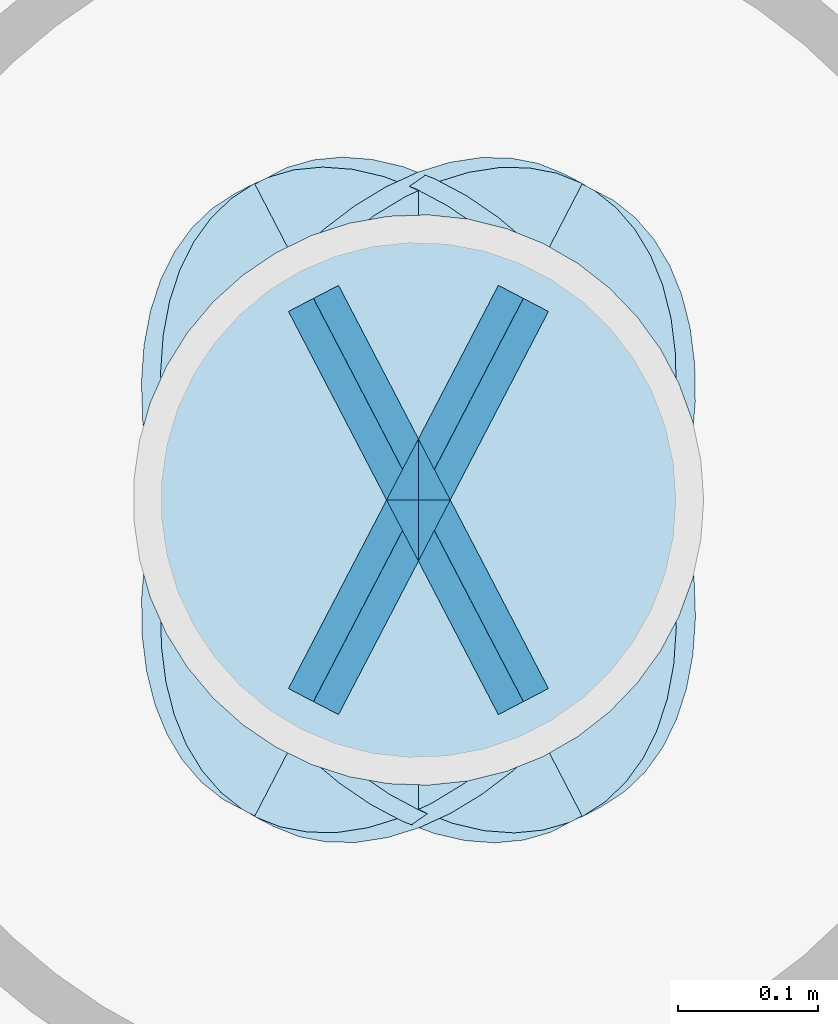
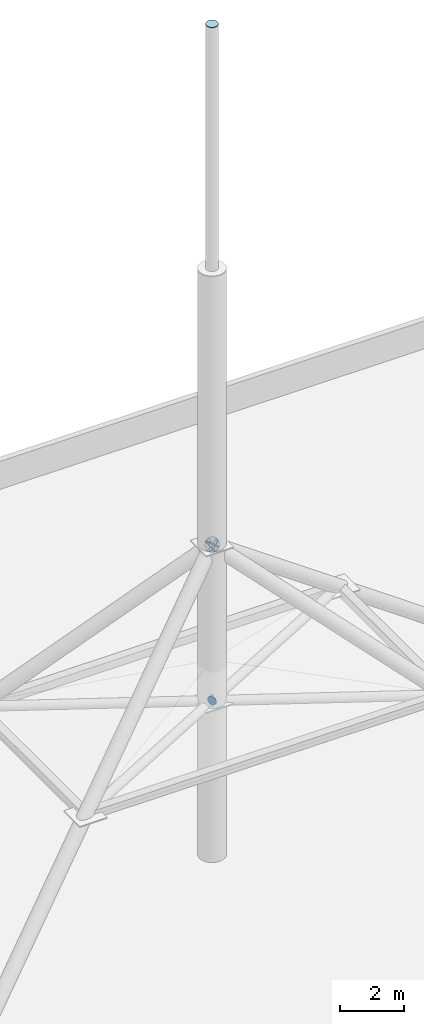
# One storey, part 4 of 8: 9 plates.
"""IFC4 building model written with IfcOpenShell, lengths in metres."""

import ifcopenshell
import ifcopenshell.guid

model = None  # the IFC model being written
_history = None  # IfcOwnerHistory: only IFC2X3 demands one
_inside = {}  # id of a spatial element -> (the spatial element, [elements in it])
_under = {}  # id of a project, library or spatial element -> (it, [spatial elements below it])
_declared = {}  # id of a project -> (the project, [libraries it declares])
_typed = {}  # id of a type object -> (the type object, [elements of that type])
_made_of = {}  # id of a material, layer set ... -> (it, [elements and type objects made of it])


def new_model(schema):
    """Start an empty IFC model of exactly this schema.

    Asked for "IFC4X3", IfcOpenShell would pick the latest addendum, in which some entities
    have other attributes; the version numbers below select the first issue.
    IFC2X3 requires an IfcOwnerHistory on every rooted entity: one is made here for all.
    """
    global model, _history
    if schema == "IFC4X3":
        model = ifcopenshell.file(schema_version=(4, 3, 0, 0))
    else:
        model = ifcopenshell.file(schema=schema)
    _inside.clear()
    _under.clear()
    _declared.clear()
    _typed.clear()
    _made_of.clear()
    _history = None
    if model.schema == "IFC2X3":
        org = make("IfcOrganization", Name="unknown")
        user = make(
            "IfcPersonAndOrganization",
            ThePerson=make("IfcPerson", FamilyName="unknown"),
            TheOrganization=org,
        )
        app = make(
            "IfcApplication",
            ApplicationDeveloper=org,
            Version="unknown",
            ApplicationFullName="unknown",
            ApplicationIdentifier="unknown",
        )
        _history = make(
            "IfcOwnerHistory",
            OwningUser=user,
            OwningApplication=app,
            ChangeAction="ADDED",
            CreationDate=0,
        )
    return model


def make(cls, **values):
    """One entity of the class cls with the attributes given. An attribute that is None is left unset."""
    return model.create_entity(
        cls, **{name: value for name, value in values.items() if value is not None}
    )


def rooted(cls, **values):
    """An entity with a GlobalId (a new one), such as an element, a storey or a relation."""
    return make(cls, GlobalId=ifcopenshell.guid.new(), OwnerHistory=_history, **values)


def si_unit(unit_type, name, prefix=None):
    """IfcSIUnit, for example si_unit("LENGTHUNIT", "METRE", prefix="MILLI")."""
    return make("IfcSIUnit", UnitType=unit_type, Prefix=prefix, Name=name)


def assignment(units):
    """IfcUnitAssignment: the units of a project."""
    return None if units is None else make("IfcUnitAssignment", Units=units)


def point(xyz):
    """IfcCartesianPoint."""
    return None if xyz is None else make("IfcCartesianPoint", Coordinates=xyz)


def direction(xyz):
    """IfcDirection."""
    return None if xyz is None else make("IfcDirection", DirectionRatios=xyz)


def frame(location, z_axis=None, x_axis=None):
    """IfcAxis2Placement3D, a coordinate frame: its origin and axes. An axis left out is left unset."""
    return make(
        "IfcAxis2Placement3D",
        Location=point(location),
        Axis=direction(z_axis),
        RefDirection=direction(x_axis),
    )


def frame_2d(location, x_axis=None):
    """IfcAxis2Placement2D, a coordinate frame in the plane: its origin and x axis."""
    return make(
        "IfcAxis2Placement2D", Location=point(location), RefDirection=direction(x_axis)
    )


def origin():
    """The frame at (0, 0, 0) with its axes left unset."""
    return frame((0.0, 0.0, 0.0))


def origin_2d():
    """The frame at (0, 0) in the plane with its x axis left unset."""
    return frame_2d((0.0, 0.0))


def place(relative_to, where):
    """IfcLocalPlacement: puts the frame where relative to a parent placement (None: the world)."""
    return make(
        "IfcLocalPlacement", PlacementRelTo=relative_to, RelativePlacement=where
    )


def context(
    kind, dimensions, precision=None, world=None, true_north=None, identifier=None
):
    """IfcGeometricRepresentationContext, for example the 3D "Model" context."""
    return make(
        "IfcGeometricRepresentationContext",
        ContextIdentifier=identifier,
        ContextType=kind,
        CoordinateSpaceDimension=dimensions,
        Precision=precision,
        WorldCoordinateSystem=world,
        TrueNorth=true_north,
    )


def subcontext(parent, identifier, kind, view, scale=None):
    """IfcGeometricRepresentationSubContext, for example "Body" below "Model"."""
    return make(
        "IfcGeometricRepresentationSubContext",
        ContextIdentifier=identifier,
        ContextType=kind,
        ParentContext=parent,
        TargetScale=scale,
        TargetView=view,
    )


def project(units=None, contexts=None):
    """IfcProject with its units and contexts."""
    return rooted(
        "IfcProject",
        Name="project",
        RepresentationContexts=contexts,
        UnitsInContext=assignment(units),
    )


def spatial(cls, under=None, at=None, **own):
    """A site, building, storey or space (cls), placed at a placement, below another one or the project."""
    s = rooted(cls, ObjectPlacement=at, **own)
    if under is not None:
        _under.setdefault(under.id(), (under, []))[1].append(s)
    return s


def profile(cls, at=None, kind="AREA", **sizes):
    """A parametric profile (cls). Its sizes go by their IFC names, for example OverallWidth=200.0."""
    return make(cls, ProfileType=kind, Position=at, **sizes)


def circle(**sizes):
    """IfcCircleProfileDef."""
    return profile("IfcCircleProfileDef", **sizes)


def extrude(swept, where, along, depth):
    """IfcExtrudedAreaSolid: the profile swept, set in the frame where, extruded along a direction by depth."""
    return make(
        "IfcExtrudedAreaSolid",
        SweptArea=swept,
        Position=where,
        ExtrudedDirection=direction(along),
        Depth=depth,
    )


def shape(context_of_items, identifier, shape_type, items):
    """IfcShapeRepresentation: the items that make up one representation, for example the "Body"."""
    return make(
        "IfcShapeRepresentation",
        ContextOfItems=context_of_items,
        RepresentationIdentifier=identifier,
        RepresentationType=shape_type,
        Items=items,
    )


def material(Name=None, Category=None):
    """IfcMaterial."""
    return make("IfcMaterial", Name=Name, Category=Category)


def layer(
    of_material, thickness, ventilated=None, Name=None, Category=None, Priority=None
):
    """IfcMaterialLayer: one layer of a wall or slab, of a material (None: an air gap)."""
    return make(
        "IfcMaterialLayer",
        Material=of_material,
        LayerThickness=thickness,
        IsVentilated=ventilated,
        Name=Name,
        Category=Category,
        Priority=Priority,
    )


def layer_set(layers, Name=None):
    """IfcMaterialLayerSet."""
    return make("IfcMaterialLayerSet", MaterialLayers=layers, LayerSetName=Name)


def made_of(thing, what):
    """Note that an element or type object is made of a material, layer set ...; save() writes the relation."""
    if what is not None:
        _made_of.setdefault(what.id(), (what, []))[1].append(thing)
    return thing


def type_object(cls, material=None, **own):
    """A type object (cls), such as IfcWallType, which elements share."""
    return made_of(rooted(cls, **own), material)


def element(
    cls,
    number,
    at=None,
    inside=None,
    cuts=None,
    type_object=None,
    material=None,
    context=None,
    identifier="Body",
    shape_type=None,
    held_by="IfcProductDefinitionShape",
    body=None,
    shapes=None,
    **own,
):
    """One element of the class cls, such as IfcWall. Its Tag is "e" and its number.

    at: its placement. inside: the storey or other place that contains it. cuts: it is an
    opening in that element (IfcRelVoidsElement). A single representation is given by context,
    identifier, shape_type and body (its items); several are given by shapes. held_by: the class
    of the entity that holds the representations. save() writes the other relations.
    """
    e = rooted(cls, Tag="e%d" % number, ObjectPlacement=at, **own)
    if body is not None:
        shapes = [shape(context, identifier, shape_type, body)]
    if shapes is not None:
        e.Representation = make(held_by, Representations=shapes)
    if inside is not None:
        _inside.setdefault(inside.id(), (inside, []))[1].append(e)
    if cuts is not None:
        rooted(
            "IfcRelVoidsElement", RelatingBuildingElement=cuts, RelatedOpeningElement=e
        )
    if type_object is not None:
        _typed.setdefault(type_object.id(), (type_object, []))[1].append(e)
    return made_of(e, material)


def aggregate(whole, parts):
    """IfcRelAggregates: a whole, such as a stair, and the parts it consists of."""
    return rooted("IfcRelAggregates", RelatingObject=whole, RelatedObjects=parts)


def save(model, path):
    """Write the relations noted so far, then the file.

    IfcRelAggregates (storeys below a building ...), IfcRelContainedInSpatialStructure (elements
    in a storey), IfcRelDefinesByType, IfcRelAssociatesMaterial and IfcRelDeclares: one each for
    every whole, place, type object, material and project.
    """
    for whole, parts in _under.values():
        aggregate(whole, parts)
    for where, things in _inside.values():
        rooted(
            "IfcRelContainedInSpatialStructure",
            RelatedElements=things,
            RelatingStructure=where,
        )
    for kind, things in _typed.values():
        rooted("IfcRelDefinesByType", RelatedObjects=things, RelatingType=kind)
    for what, things in _made_of.values():
        rooted("IfcRelAssociatesMaterial", RelatedObjects=things, RelatingMaterial=what)
    for by, libraries in _declared.values():
        rooted("IfcRelDeclares", RelatingContext=by, RelatedDefinitions=libraries)
    model.write(path)


model = new_model("IFC4")

# Units and contexts
model_context = context("Model", 3, precision=1e-05, world=origin(), true_north=direction((0.0, 1.0)))
body_context = subcontext(model_context, "Body", "Model", "MODEL_VIEW")
ifc_project = project(units=[si_unit("LENGTHUNIT", "METRE"), si_unit("AREAUNIT", "SQUARE_METRE"), si_unit("VOLUMEUNIT", "CUBIC_METRE"), si_unit("PLANEANGLEUNIT", "RADIAN"), si_unit("MASSUNIT", "GRAM", prefix="KILO")], contexts=[model_context])

# Site, building, storey
site_placement = place(None, origin())
site = spatial("IfcSite", under=ifc_project, at=site_placement, CompositionType="ELEMENT")
building_placement = place(site_placement, origin())
building = spatial("IfcBuilding", under=site, at=building_placement, Name="Putna Gate Headquarters", CompositionType="ELEMENT")
storey_placement = place(building_placement, frame((0.0, 0.0, 320.39990234375)))
storey = spatial("IfcBuildingStorey", under=building, at=storey_placement, Name="RF", CompositionType="ELEMENT", Elevation=320.39990234375)

# Plates
ifc_material_1 = material(Name="Steel S355J2", Category="steel")
ifc_layer_1 = layer(ifc_material_1, 0.02001953125)
ifc_layer_set_1 = layer_set([ifc_layer_1], Name="Steel S355J2")
plate_type_1 = type_object("IfcPlateType", Name="PLT-CAP-EC-C324", PredefinedType="SHEET", material=ifc_layer_set_1)
for number, where, z_axis, x_axis, name in (
    (1, (38.982177734375, 25.99072265625, 5.987548828125), (0.887017774073, 0.461735279655, 0.0), (-0.461735279655, 0.887017774073, 0.0), "Needle Spire Radial Brace SD-1 1 End Cap End"),
    (2, (38.982177734375, 26.00927734375, 5.987548828125), (0.887017774073, -0.461735279655, 0.0), (0.461735279655, 0.887017774073, 0.0), "Needle Spire Radial Brace SD-1 2 End Cap End"),
    (3, (39.017822265625, 26.00927734375, 5.987548828125), (-0.887017774073, -0.461735279655, 0.0), (0.461735279655, -0.887017774073, 0.0), "Needle Spire Radial Brace SD-1 3 End Cap End"),
    (4, (39.017822265625, 25.99072265625, 5.987548828125), (-0.887017774073, 0.461735279655, 0.0), (-0.461735279655, -0.887017774073, 0.0), "Needle Spire Radial Brace SD-1 4 End Cap End"),
):
    element("IfcPlate", number, at=place(storey_placement, frame(where, z_axis=z_axis, x_axis=x_axis)), inside=storey, type_object=plate_type_1, Name=name, PredefinedType="SHEET", context=body_context, shape_type="SweptSolid", body=[
        extrude(circle(Radius=0.161865234375, at=origin_2d()), origin(), (0.0, 0.0, 1.0), 0.02001953125),
    ])
ifc_material_2 = material(Name="Steel S460M", Category="steel")
ifc_layer_2 = layer(ifc_material_2, 0.02001953125)
ifc_layer_set_2 = layer_set([ifc_layer_2], Name="Steel S460M")
plate_type_2 = type_object("IfcPlateType", Name="PLT-CAP-EC-C406", PredefinedType="SHEET", material=ifc_layer_set_2)
plate_placement = place(storey_placement, frame((39.0, 26.0, 31.97998046875), z_axis=(0.0, 0.0, 1.0), x_axis=(1.0, 0.0, 0.0)))
element("IfcPlate", 5, at=plate_placement, inside=storey, type_object=plate_type_2, Name="Needle Spire Finial Mast SP-3 End Cap End", PredefinedType="SHEET", context=body_context, shape_type="SweptSolid", body=[
    extrude(circle(Radius=0.203125, at=origin_2d()), origin(), (0.0, 0.0, 1.0), 0.02001953125),
])
ifc_layer_3 = layer(ifc_material_1, 0.02001953125)
ifc_layer_set_3 = layer_set([ifc_layer_3], Name="Steel S355J2")
plate_type_3 = type_object("IfcPlateType", Name="PLT-CAP-EC-C508", PredefinedType="SHEET", material=ifc_layer_set_3)
for number, where, z_axis, x_axis, name in (
    (6, (38.986328125, 25.992919921875, 11.9775390625), (0.690464083536, 0.357561757546, 0.628815504649), (-0.459854247661, 0.887994409277, 0.0), "Needle Spire Raking Leg SL-1 SW End Cap End"),
    (7, (38.986328125, 26.007080078125, 11.9775390625), (0.690464083536, -0.357561757546, 0.628815504649), (0.459854247661, 0.887994409277, 0.0), "Needle Spire Raking Leg SL-1 NW End Cap End"),
    (8, (39.013671875, 25.992919921875, 11.9775390625), (-0.690464083536, 0.357561757546, 0.628815504649), (-0.459854247661, -0.887994409277, 0.0), "Needle Spire Raking Leg SL-1 SE End Cap End"),
    (9, (39.013671875, 26.007080078125, 11.9775390625), (-0.690464083536, -0.357561757546, 0.628815504649), (0.459854247661, -0.887994409277, 0.0), "Needle Spire Raking Leg SL-1 NE End Cap End"),
):
    element("IfcPlate", number, at=place(storey_placement, frame(where, z_axis=z_axis, x_axis=x_axis)), inside=storey, type_object=plate_type_3, Name=name, PredefinedType="SHEET", context=body_context, shape_type="SweptSolid", body=[
        extrude(circle(Radius=0.25390625, at=origin_2d()), origin(), (0.0, 0.0, 1.0), 0.019775390625),
    ])

save(model, "model.ifc")
